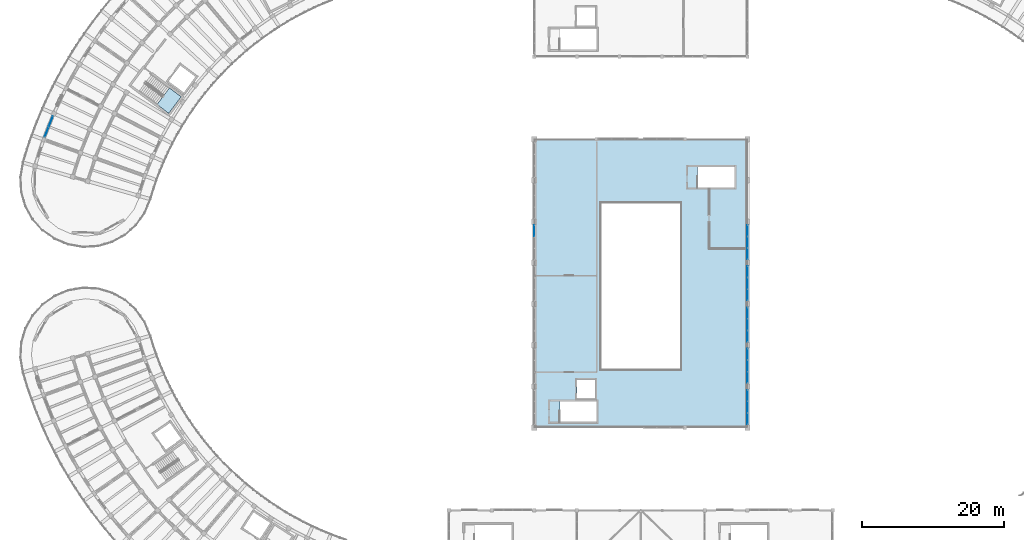
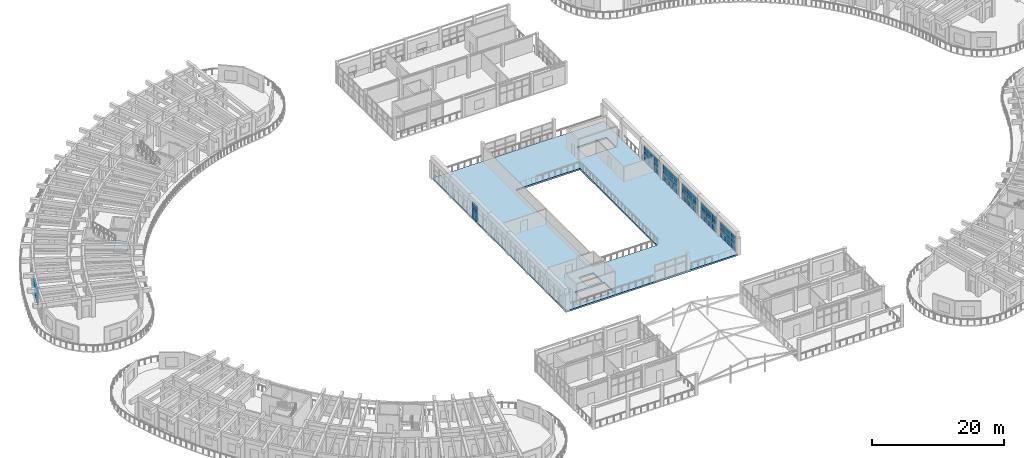
# One storey, part 70 of 128: 36 plates, 2 slabs, 8 elements without a shape of their own.
"""IFC4 building model written with IfcOpenShell, lengths in metres."""

from ifc_helpers import new_model, si_unit, direction, frame, origin, origin_2d, place, context, subcontext, project, spatial, polyline, rectangle, outline, extrude, material, layer, layer_set, type_object, element, aggregate, save


model = new_model("IFC4")

# Units and contexts
model_context = context("Model", 3, precision=1e-05, world=origin(), true_north=direction((0.0, 1.0)))
body_context = subcontext(model_context, "Body", "Model", "MODEL_VIEW")
ifc_project = project(units=[si_unit("LENGTHUNIT", "METRE"), si_unit("AREAUNIT", "SQUARE_METRE"), si_unit("VOLUMEUNIT", "CUBIC_METRE"), si_unit("PLANEANGLEUNIT", "RADIAN"), si_unit("MASSUNIT", "GRAM", prefix="KILO")], contexts=[model_context])

# Site, building, storey
site_placement = place(None, origin())
site = spatial("IfcSite", under=ifc_project, at=site_placement, CompositionType="ELEMENT")
building_placement = place(site_placement, origin())
building = spatial("IfcBuilding", under=site, at=building_placement, Name="Tanwirah Colonnade Gardens", CompositionType="ELEMENT")
storey_placement = place(building_placement, frame((0.0, 0.0, 4.760009765625)))
storey = spatial("IfcBuildingStorey", under=building, at=storey_placement, Name="L01", CompositionType="ELEMENT", Elevation=4.760009765625)

# Curtain wall, plates
ifc_material_1 = material(Name="Bronze-anodised aluminium and solar-control low-E glass", Category="aluminium")
curtain_wall_type_1 = type_object("IfcCurtainWallType", Name="CW-LOB", PredefinedType="NOTDEFINED", material=ifc_material_1)
curtain_wall_1_placement = place(storey_placement, origin())
curtain_wall_1 = element("IfcCurtainWall", 1, at=curtain_wall_1_placement, inside=storey, type_object=curtain_wall_type_1, Name="Curtain Wall CW-A-L01-OUT-16", PredefinedType="NOTDEFINED")
ifc_material_2 = material(Name="Insulated bronze aluminium spandrel panel", Category="aluminium")
ifc_layer_1 = layer(ifc_material_2, 0.035888671875)
ifc_layer_set_1 = layer_set([ifc_layer_1], Name="Insulated bronze aluminium spandrel panel")
plate_type = type_object("IfcPlateType", Name="CWP-SPN36", PredefinedType="CURTAIN_PANEL", material=ifc_layer_set_1)
plate_1_placement = place(storey_placement, frame((9.977294921875, 82.904052734375, 0.06494140625), z_axis=(0.0, 0.0, 1.0), x_axis=(-0.369207655713, -0.929346924976, 0.0)))
plate_1 = element("IfcPlate", 2, at=plate_1_placement, type_object=plate_type, Name="CW-LOB panel 1.1", PredefinedType="CURTAIN_PANEL", context=body_context, shape_type="SweptSolid", body=[
    extrude(rectangle(XDim=1.50537109375, YDim=0.035888671875, at=origin_2d()), origin(), (0.0, 0.0, 1.0), 1.80908203125),
])
plate_2_placement = place(storey_placement, frame((9.977294921875, 82.904052734375, 1.93896484375), z_axis=(0.0, 0.0, 1.0), x_axis=(-0.369207655713, -0.929346924976, 0.0)))
plate_2 = element("IfcPlate", 3, at=plate_2_placement, type_object=plate_type, Name="CW-LOB panel 1.2", PredefinedType="CURTAIN_PANEL", context=body_context, shape_type="SweptSolid", body=[
    extrude(rectangle(XDim=1.50537109375, YDim=0.035888671875, at=origin_2d()), origin(), (0.0, 0.0, 1.0), 1.071044921875),
])
plate_3_placement = place(storey_placement, frame((9.3974609375, 81.444580078125, 0.06494140625), z_axis=(0.0, 0.0, 1.0), x_axis=(-0.369207655713, -0.929346924976, 0.0)))
plate_3 = element("IfcPlate", 4, at=plate_3_placement, type_object=plate_type, Name="CW-LOB panel 2.1", PredefinedType="CURTAIN_PANEL", context=body_context, shape_type="SweptSolid", body=[
    extrude(rectangle(XDim=1.50537109375, YDim=0.035888671875, at=origin_2d()), origin(), (0.0, 0.0, 1.0), 1.80908203125),
])
plate_4_placement = place(storey_placement, frame((9.3974609375, 81.444580078125, 1.93896484375), z_axis=(0.0, 0.0, 1.0), x_axis=(-0.369207655713, -0.929346924976, 0.0)))
plate_4 = element("IfcPlate", 5, at=plate_4_placement, type_object=plate_type, Name="CW-LOB panel 2.2", PredefinedType="CURTAIN_PANEL", context=body_context, shape_type="SweptSolid", body=[
    extrude(rectangle(XDim=1.50537109375, YDim=0.035888671875, at=origin_2d()), origin(), (0.0, 0.0, 1.0), 1.071044921875),
])
aggregate(curtain_wall_1, [plate_1, plate_2, plate_3, plate_4])

curtain_wall_type_2 = type_object("IfcCurtainWallType", Name="CW-HALL", PredefinedType="NOTDEFINED", material=ifc_material_1)
curtain_wall_2_placement = place(storey_placement, origin())
curtain_wall_2 = element("IfcCurtainWall", 6, at=curtain_wall_2_placement, inside=storey, type_object=curtain_wall_type_2, Name="Curtain Wall CW-HALL-L01-E-1", PredefinedType="NOTDEFINED")
plate_5_placement = place(storey_placement, frame((108.0, 41.0830078125, 0.06494140625), z_axis=(0.0, 0.0, 1.0), x_axis=(0.0, 1.0, 0.0)))
plate_5 = element("IfcPlate", 7, at=plate_5_placement, type_object=plate_type, Name="CW-HALL panel 1.1", PredefinedType="CURTAIN_PANEL", context=body_context, shape_type="SweptSolid", body=[
    extrude(rectangle(XDim=1.535888671875, YDim=0.035888671875, at=origin_2d()), origin(), (0.0, 0.0, 1.0), 1.7998046875),
])
plate_6_placement = place(storey_placement, frame((108.0, 41.0830078125, 1.9296875), z_axis=(0.0, 0.0, 1.0), x_axis=(0.0, 1.0, 0.0)))
plate_6 = element("IfcPlate", 8, at=plate_6_placement, type_object=plate_type, Name="CW-HALL panel 1.2", PredefinedType="CURTAIN_PANEL", context=body_context, shape_type="SweptSolid", body=[
    extrude(rectangle(XDim=1.535888671875, YDim=0.035888671875, at=origin_2d()), origin(), (0.0, 0.0, 1.0), 1.065185546875),
])
plate_7_placement = place(storey_placement, frame((108.0, 42.699951171875, 0.06494140625), z_axis=(0.0, 0.0, 1.0), x_axis=(0.0, 1.0, 0.0)))
plate_7 = element("IfcPlate", 9, at=plate_7_placement, type_object=plate_type, Name="CW-HALL panel 2.1", PredefinedType="CURTAIN_PANEL", context=body_context, shape_type="SweptSolid", body=[
    extrude(rectangle(XDim=1.568359375, YDim=0.035888671875, at=origin_2d()), origin(), (0.0, 0.0, 1.0), 1.7998046875),
])
plate_8_placement = place(storey_placement, frame((108.0, 42.699951171875, 1.9296875), z_axis=(0.0, 0.0, 1.0), x_axis=(0.0, 1.0, 0.0)))
plate_8 = element("IfcPlate", 10, at=plate_8_placement, type_object=plate_type, Name="CW-HALL panel 2.2", PredefinedType="CURTAIN_PANEL", context=body_context, shape_type="SweptSolid", body=[
    extrude(rectangle(XDim=1.568359375, YDim=0.035888671875, at=origin_2d()), origin(), (0.0, 0.0, 1.0), 1.065185546875),
])
plate_9_placement = place(storey_placement, frame((108.0, 44.317138671875, 0.06494140625), z_axis=(0.0, 0.0, 1.0), x_axis=(0.0, 1.0, 0.0)))
plate_9 = element("IfcPlate", 11, at=plate_9_placement, type_object=plate_type, Name="CW-HALL panel 3.1", PredefinedType="CURTAIN_PANEL", context=body_context, shape_type="SweptSolid", body=[
    extrude(rectangle(XDim=1.535888671875, YDim=0.035888671875, at=origin_2d()), origin(), (0.0, 0.0, 1.0), 1.7998046875),
])
plate_10_placement = place(storey_placement, frame((108.0, 44.317138671875, 1.9296875), z_axis=(0.0, 0.0, 1.0), x_axis=(0.0, 1.0, 0.0)))
plate_10 = element("IfcPlate", 12, at=plate_10_placement, type_object=plate_type, Name="CW-HALL panel 3.2", PredefinedType="CURTAIN_PANEL", context=body_context, shape_type="SweptSolid", body=[
    extrude(rectangle(XDim=1.535888671875, YDim=0.035888671875, at=origin_2d()), origin(), (0.0, 0.0, 1.0), 1.065185546875),
])
aggregate(curtain_wall_2, [plate_5, plate_6, plate_7, plate_8, plate_9, plate_10])

curtain_wall_3_placement = place(storey_placement, origin())
curtain_wall_3 = element("IfcCurtainWall", 13, at=curtain_wall_3_placement, inside=storey, type_object=curtain_wall_type_2, Name="Curtain Wall CW-HALL-L01-E-2", PredefinedType="NOTDEFINED")
plate_11_placement = place(storey_placement, frame((108.0, 46.8828125, 0.06494140625), z_axis=(0.0, 0.0, 1.0), x_axis=(0.0, 1.0, 0.0)))
plate_11 = element("IfcPlate", 14, at=plate_11_placement, type_object=plate_type, Name="CW-HALL panel 1.1", PredefinedType="CURTAIN_PANEL", context=body_context, shape_type="SweptSolid", body=[
    extrude(rectangle(XDim=1.535888671875, YDim=0.035888671875, at=origin_2d()), origin(), (0.0, 0.0, 1.0), 1.7998046875),
])
plate_12_placement = place(storey_placement, frame((108.0, 46.8828125, 1.9296875), z_axis=(0.0, 0.0, 1.0), x_axis=(0.0, 1.0, 0.0)))
plate_12 = element("IfcPlate", 15, at=plate_12_placement, type_object=plate_type, Name="CW-HALL panel 1.2", PredefinedType="CURTAIN_PANEL", context=body_context, shape_type="SweptSolid", body=[
    extrude(rectangle(XDim=1.535888671875, YDim=0.035888671875, at=origin_2d()), origin(), (0.0, 0.0, 1.0), 1.065185546875),
])
plate_13_placement = place(storey_placement, frame((108.0, 48.5, 0.06494140625), z_axis=(0.0, 0.0, 1.0), x_axis=(0.0, 1.0, 0.0)))
plate_13 = element("IfcPlate", 16, at=plate_13_placement, type_object=plate_type, Name="CW-HALL panel 2.1", PredefinedType="CURTAIN_PANEL", context=body_context, shape_type="SweptSolid", body=[
    extrude(rectangle(XDim=1.568359375, YDim=0.035888671875, at=origin_2d()), origin(), (0.0, 0.0, 1.0), 1.7998046875),
])
plate_14_placement = place(storey_placement, frame((108.0, 48.5, 1.9296875), z_axis=(0.0, 0.0, 1.0), x_axis=(0.0, 1.0, 0.0)))
plate_14 = element("IfcPlate", 17, at=plate_14_placement, type_object=plate_type, Name="CW-HALL panel 2.2", PredefinedType="CURTAIN_PANEL", context=body_context, shape_type="SweptSolid", body=[
    extrude(rectangle(XDim=1.568359375, YDim=0.035888671875, at=origin_2d()), origin(), (0.0, 0.0, 1.0), 1.065185546875),
])
plate_15_placement = place(storey_placement, frame((108.0, 50.1171875, 0.06494140625), z_axis=(0.0, 0.0, 1.0), x_axis=(0.0, 1.0, 0.0)))
plate_15 = element("IfcPlate", 18, at=plate_15_placement, type_object=plate_type, Name="CW-HALL panel 3.1", PredefinedType="CURTAIN_PANEL", context=body_context, shape_type="SweptSolid", body=[
    extrude(rectangle(XDim=1.535888671875, YDim=0.035888671875, at=origin_2d()), origin(), (0.0, 0.0, 1.0), 1.7998046875),
])
plate_16_placement = place(storey_placement, frame((108.0, 50.1171875, 1.9296875), z_axis=(0.0, 0.0, 1.0), x_axis=(0.0, 1.0, 0.0)))
plate_16 = element("IfcPlate", 19, at=plate_16_placement, type_object=plate_type, Name="CW-HALL panel 3.2", PredefinedType="CURTAIN_PANEL", context=body_context, shape_type="SweptSolid", body=[
    extrude(rectangle(XDim=1.535888671875, YDim=0.035888671875, at=origin_2d()), origin(), (0.0, 0.0, 1.0), 1.065185546875),
])
aggregate(curtain_wall_3, [plate_11, plate_12, plate_13, plate_14, plate_15, plate_16])

curtain_wall_4_placement = place(storey_placement, origin())
curtain_wall_4 = element("IfcCurtainWall", 20, at=curtain_wall_4_placement, inside=storey, type_object=curtain_wall_type_2, Name="Curtain Wall CW-HALL-L01-E-3", PredefinedType="NOTDEFINED")
plate_17_placement = place(storey_placement, frame((108.0, 52.682861328125, 0.06494140625), z_axis=(0.0, 0.0, 1.0), x_axis=(0.0, 1.0, 0.0)))
plate_17 = element("IfcPlate", 21, at=plate_17_placement, type_object=plate_type, Name="CW-HALL panel 1.1", PredefinedType="CURTAIN_PANEL", context=body_context, shape_type="SweptSolid", body=[
    extrude(rectangle(XDim=1.535888671875, YDim=0.035888671875, at=origin_2d()), origin(), (0.0, 0.0, 1.0), 1.7998046875),
])
plate_18_placement = place(storey_placement, frame((108.0, 52.682861328125, 1.9296875), z_axis=(0.0, 0.0, 1.0), x_axis=(0.0, 1.0, 0.0)))
plate_18 = element("IfcPlate", 22, at=plate_18_placement, type_object=plate_type, Name="CW-HALL panel 1.2", PredefinedType="CURTAIN_PANEL", context=body_context, shape_type="SweptSolid", body=[
    extrude(rectangle(XDim=1.535888671875, YDim=0.035888671875, at=origin_2d()), origin(), (0.0, 0.0, 1.0), 1.065185546875),
])
plate_19_placement = place(storey_placement, frame((108.0, 54.300048828125, 0.06494140625), z_axis=(0.0, 0.0, 1.0), x_axis=(0.0, 1.0, 0.0)))
plate_19 = element("IfcPlate", 23, at=plate_19_placement, type_object=plate_type, Name="CW-HALL panel 2.1", PredefinedType="CURTAIN_PANEL", context=body_context, shape_type="SweptSolid", body=[
    extrude(rectangle(XDim=1.568359375, YDim=0.035888671875, at=origin_2d()), origin(), (0.0, 0.0, 1.0), 1.7998046875),
])
plate_20_placement = place(storey_placement, frame((108.0, 54.300048828125, 1.9296875), z_axis=(0.0, 0.0, 1.0), x_axis=(0.0, 1.0, 0.0)))
plate_20 = element("IfcPlate", 24, at=plate_20_placement, type_object=plate_type, Name="CW-HALL panel 2.2", PredefinedType="CURTAIN_PANEL", context=body_context, shape_type="SweptSolid", body=[
    extrude(rectangle(XDim=1.568359375, YDim=0.035888671875, at=origin_2d()), origin(), (0.0, 0.0, 1.0), 1.065185546875),
])
plate_21_placement = place(storey_placement, frame((108.0, 55.9169921875, 0.06494140625), z_axis=(0.0, 0.0, 1.0), x_axis=(0.0, 1.0, 0.0)))
plate_21 = element("IfcPlate", 25, at=plate_21_placement, type_object=plate_type, Name="CW-HALL panel 3.1", PredefinedType="CURTAIN_PANEL", context=body_context, shape_type="SweptSolid", body=[
    extrude(rectangle(XDim=1.535888671875, YDim=0.035888671875, at=origin_2d()), origin(), (0.0, 0.0, 1.0), 1.7998046875),
])
plate_22_placement = place(storey_placement, frame((108.0, 55.9169921875, 1.9296875), z_axis=(0.0, 0.0, 1.0), x_axis=(0.0, 1.0, 0.0)))
plate_22 = element("IfcPlate", 26, at=plate_22_placement, type_object=plate_type, Name="CW-HALL panel 3.2", PredefinedType="CURTAIN_PANEL", context=body_context, shape_type="SweptSolid", body=[
    extrude(rectangle(XDim=1.535888671875, YDim=0.035888671875, at=origin_2d()), origin(), (0.0, 0.0, 1.0), 1.065185546875),
])
aggregate(curtain_wall_4, [plate_17, plate_18, plate_19, plate_20, plate_21, plate_22])

curtain_wall_5_placement = place(storey_placement, origin())
curtain_wall_5 = element("IfcCurtainWall", 27, at=curtain_wall_5_placement, inside=storey, type_object=curtain_wall_type_2, Name="Curtain Wall CW-HALL-L01-E-4", PredefinedType="NOTDEFINED")
plate_23_placement = place(storey_placement, frame((108.0, 58.48291015625, 0.06494140625), z_axis=(0.0, 0.0, 1.0), x_axis=(0.0, 1.0, 0.0)))
plate_23 = element("IfcPlate", 28, at=plate_23_placement, type_object=plate_type, Name="CW-HALL panel 1.1", PredefinedType="CURTAIN_PANEL", context=body_context, shape_type="SweptSolid", body=[
    extrude(rectangle(XDim=1.535888671875, YDim=0.035888671875, at=origin_2d()), origin(), (0.0, 0.0, 1.0), 1.7998046875),
])
plate_24_placement = place(storey_placement, frame((108.0, 58.48291015625, 1.9296875), z_axis=(0.0, 0.0, 1.0), x_axis=(0.0, 1.0, 0.0)))
plate_24 = element("IfcPlate", 29, at=plate_24_placement, type_object=plate_type, Name="CW-HALL panel 1.2", PredefinedType="CURTAIN_PANEL", context=body_context, shape_type="SweptSolid", body=[
    extrude(rectangle(XDim=1.535888671875, YDim=0.035888671875, at=origin_2d()), origin(), (0.0, 0.0, 1.0), 1.065185546875),
])
plate_25_placement = place(storey_placement, frame((108.0, 60.10009765625, 0.06494140625), z_axis=(0.0, 0.0, 1.0), x_axis=(0.0, 1.0, 0.0)))
plate_25 = element("IfcPlate", 30, at=plate_25_placement, type_object=plate_type, Name="CW-HALL panel 2.1", PredefinedType="CURTAIN_PANEL", context=body_context, shape_type="SweptSolid", body=[
    extrude(rectangle(XDim=1.568359375, YDim=0.035888671875, at=origin_2d()), origin(), (0.0, 0.0, 1.0), 1.7998046875),
])
plate_26_placement = place(storey_placement, frame((108.0, 60.10009765625, 1.9296875), z_axis=(0.0, 0.0, 1.0), x_axis=(0.0, 1.0, 0.0)))
plate_26 = element("IfcPlate", 31, at=plate_26_placement, type_object=plate_type, Name="CW-HALL panel 2.2", PredefinedType="CURTAIN_PANEL", context=body_context, shape_type="SweptSolid", body=[
    extrude(rectangle(XDim=1.568359375, YDim=0.035888671875, at=origin_2d()), origin(), (0.0, 0.0, 1.0), 1.065185546875),
])
plate_27_placement = place(storey_placement, frame((108.0, 61.717041015625, 0.06494140625), z_axis=(0.0, 0.0, 1.0), x_axis=(0.0, 1.0, 0.0)))
plate_27 = element("IfcPlate", 32, at=plate_27_placement, type_object=plate_type, Name="CW-HALL panel 3.1", PredefinedType="CURTAIN_PANEL", context=body_context, shape_type="SweptSolid", body=[
    extrude(rectangle(XDim=1.535888671875, YDim=0.035888671875, at=origin_2d()), origin(), (0.0, 0.0, 1.0), 1.7998046875),
])
plate_28_placement = place(storey_placement, frame((108.0, 61.717041015625, 1.9296875), z_axis=(0.0, 0.0, 1.0), x_axis=(0.0, 1.0, 0.0)))
plate_28 = element("IfcPlate", 33, at=plate_28_placement, type_object=plate_type, Name="CW-HALL panel 3.2", PredefinedType="CURTAIN_PANEL", context=body_context, shape_type="SweptSolid", body=[
    extrude(rectangle(XDim=1.535888671875, YDim=0.035888671875, at=origin_2d()), origin(), (0.0, 0.0, 1.0), 1.065185546875),
])
aggregate(curtain_wall_5, [plate_23, plate_24, plate_25, plate_26, plate_27, plate_28])

curtain_wall_6_placement = place(storey_placement, origin())
curtain_wall_6 = element("IfcCurtainWall", 34, at=curtain_wall_6_placement, inside=storey, type_object=curtain_wall_type_2, Name="Curtain Wall CW-HALL-L01-W-5", PredefinedType="NOTDEFINED")
plate_29_placement = place(storey_placement, frame((78.0, 67.51708984375, 0.06494140625), z_axis=(0.0, 0.0, 1.0), x_axis=(0.0, 1.0, 0.0)))
plate_29 = element("IfcPlate", 35, at=plate_29_placement, type_object=plate_type, Name="CW-HALL panel 3.1", PredefinedType="CURTAIN_PANEL", context=body_context, shape_type="SweptSolid", body=[
    extrude(rectangle(XDim=1.535888671875, YDim=0.035888671875, at=origin_2d()), origin(), (0.0, 0.0, 1.0), 1.7998046875),
])
plate_30_placement = place(storey_placement, frame((78.0, 67.51708984375, 1.9296875), z_axis=(0.0, 0.0, 1.0), x_axis=(0.0, 1.0, 0.0)))
plate_30 = element("IfcPlate", 36, at=plate_30_placement, type_object=plate_type, Name="CW-HALL panel 3.2", PredefinedType="CURTAIN_PANEL", context=body_context, shape_type="SweptSolid", body=[
    extrude(rectangle(XDim=1.535888671875, YDim=0.035888671875, at=origin_2d()), origin(), (0.0, 0.0, 1.0), 1.065185546875),
])
aggregate(curtain_wall_6, [plate_29, plate_30])

curtain_wall_7_placement = place(storey_placement, origin())
curtain_wall_7 = element("IfcCurtainWall", 37, at=curtain_wall_7_placement, inside=storey, type_object=curtain_wall_type_2, Name="Curtain Wall CW-HALL-L01-E-5", PredefinedType="NOTDEFINED")
plate_31_placement = place(storey_placement, frame((108.0, 64.282958984375, 0.06494140625), z_axis=(0.0, 0.0, 1.0), x_axis=(0.0, 1.0, 0.0)))
plate_31 = element("IfcPlate", 38, at=plate_31_placement, type_object=plate_type, Name="CW-HALL panel 1.1", PredefinedType="CURTAIN_PANEL", context=body_context, shape_type="SweptSolid", body=[
    extrude(rectangle(XDim=1.535888671875, YDim=0.035888671875, at=origin_2d()), origin(), (0.0, 0.0, 1.0), 1.7998046875),
])
plate_32_placement = place(storey_placement, frame((108.0, 64.282958984375, 1.9296875), z_axis=(0.0, 0.0, 1.0), x_axis=(0.0, 1.0, 0.0)))
plate_32 = element("IfcPlate", 39, at=plate_32_placement, type_object=plate_type, Name="CW-HALL panel 1.2", PredefinedType="CURTAIN_PANEL", context=body_context, shape_type="SweptSolid", body=[
    extrude(rectangle(XDim=1.535888671875, YDim=0.035888671875, at=origin_2d()), origin(), (0.0, 0.0, 1.0), 1.065185546875),
])
plate_33_placement = place(storey_placement, frame((108.0, 65.89990234375, 0.06494140625), z_axis=(0.0, 0.0, 1.0), x_axis=(0.0, 1.0, 0.0)))
plate_33 = element("IfcPlate", 40, at=plate_33_placement, type_object=plate_type, Name="CW-HALL panel 2.1", PredefinedType="CURTAIN_PANEL", context=body_context, shape_type="SweptSolid", body=[
    extrude(rectangle(XDim=1.568359375, YDim=0.035888671875, at=origin_2d()), origin(), (0.0, 0.0, 1.0), 1.7998046875),
])
plate_34_placement = place(storey_placement, frame((108.0, 65.89990234375, 1.9296875), z_axis=(0.0, 0.0, 1.0), x_axis=(0.0, 1.0, 0.0)))
plate_34 = element("IfcPlate", 41, at=plate_34_placement, type_object=plate_type, Name="CW-HALL panel 2.2", PredefinedType="CURTAIN_PANEL", context=body_context, shape_type="SweptSolid", body=[
    extrude(rectangle(XDim=1.568359375, YDim=0.035888671875, at=origin_2d()), origin(), (0.0, 0.0, 1.0), 1.065185546875),
])
plate_35_placement = place(storey_placement, frame((108.0, 67.51708984375, 0.06494140625), z_axis=(0.0, 0.0, 1.0), x_axis=(0.0, 1.0, 0.0)))
plate_35 = element("IfcPlate", 42, at=plate_35_placement, type_object=plate_type, Name="CW-HALL panel 3.1", PredefinedType="CURTAIN_PANEL", context=body_context, shape_type="SweptSolid", body=[
    extrude(rectangle(XDim=1.535888671875, YDim=0.035888671875, at=origin_2d()), origin(), (0.0, 0.0, 1.0), 1.7998046875),
])
plate_36_placement = place(storey_placement, frame((108.0, 67.51708984375, 1.9296875), z_axis=(0.0, 0.0, 1.0), x_axis=(0.0, 1.0, 0.0)))
plate_36 = element("IfcPlate", 43, at=plate_36_placement, type_object=plate_type, Name="CW-HALL panel 3.2", PredefinedType="CURTAIN_PANEL", context=body_context, shape_type="SweptSolid", body=[
    extrude(rectangle(XDim=1.535888671875, YDim=0.035888671875, at=origin_2d()), origin(), (0.0, 0.0, 1.0), 1.065185546875),
])
aggregate(curtain_wall_7, [plate_31, plate_32, plate_33, plate_34, plate_35, plate_36])

# Slab
ifc_material_3 = material(Name="Concrete C45/55", Category="concrete")
ifc_layer_2 = layer(ifc_material_3, 0.294921875)
ifc_layer_set_2 = layer_set([ifc_layer_2], Name="Concrete C45/55")
slab_type_1 = type_object("IfcSlabType", Name="SL-HALL-295", PredefinedType="FLOOR", material=ifc_layer_set_2)
slab_1_placement = place(storey_placement, frame((0.0, 0.0, -0.294921875)))
element("IfcSlab", 44, at=slab_1_placement, inside=storey, type_object=slab_type_1, Name="Community Hall L01 Mezzanine Gallery Slab", PredefinedType="FLOOR", context=body_context, shape_type="SweptSolid", body=[
    extrude(outline(polyline([(108.0, 80.39990234375), (78.0, 80.39990234375), (78.0, 39.800048828125), (108.0, 39.800048828125), (108.0, 80.39990234375)]), holes=[polyline([(87.39990234375, 48.0), (87.39990234375, 71.39990234375), (98.60009765625, 71.39990234375), (98.60009765625, 48.0), (87.39990234375, 48.0)]), polyline([(86.800048828125, 43.51708984375), (86.800048828125, 40.60302734375), (81.60302734375, 40.60302734375), (81.60302734375, 43.51708984375), (86.800048828125, 43.51708984375)]), polyline([(86.60009765625, 43.89990234375), (84.0, 43.89990234375), (84.0, 46.5), (86.60009765625, 46.5), (86.60009765625, 43.89990234375)]), polyline([(101.0029296875, 73.60302734375), (101.0029296875, 76.51708984375), (106.199951171875, 76.51708984375), (106.199951171875, 73.60302734375), (101.0029296875, 73.60302734375)])]), origin(), (0.0, 0.0, 1.0), 0.294921875),
])

# Stair, slab
ifc_material_4 = material(Name="Precast concrete C40/50", Category="concrete")
stair_type = type_object("IfcStairType", Name="ST-RES170", PredefinedType="HALF_TURN_STAIR", material=ifc_material_4)
stair_placement = place(storey_placement, origin())
stair = element("IfcStair", 45, at=stair_placement, inside=storey, type_object=stair_type, Name="L01 Block A Core 2 Exit Stair", PredefinedType="HALF_TURN_STAIR")
ifc_layer_3 = layer(ifc_material_4, 0.205078125)
ifc_layer_set_3 = layer_set([ifc_layer_3], Name="Precast concrete C40/50")
slab_type_2 = type_object("IfcSlabType", Name="SL-LND-205", PredefinedType="LANDING", material=ifc_layer_set_3)
slab_2_placement = place(storey_placement, frame((0.0, 0.0, 1.8349609375)))
slab_2 = element("IfcSlab", 46, at=slab_2_placement, type_object=slab_type_2, Name="ST-A2 landing 1", PredefinedType="LANDING", context=body_context, shape_type="SweptSolid", body=[
    extrude(outline(polyline([(24.90478515625, 85.280029296875), (26.553955078125, 84.037353515625), (28.311279296875, 86.369384765625), (26.662109375, 87.612060546875), (24.90478515625, 85.280029296875)])), origin(), (0.0, 0.0, 1.0), 0.205078125),
])
aggregate(stair, [slab_2])

save(model, "model.ifc")
